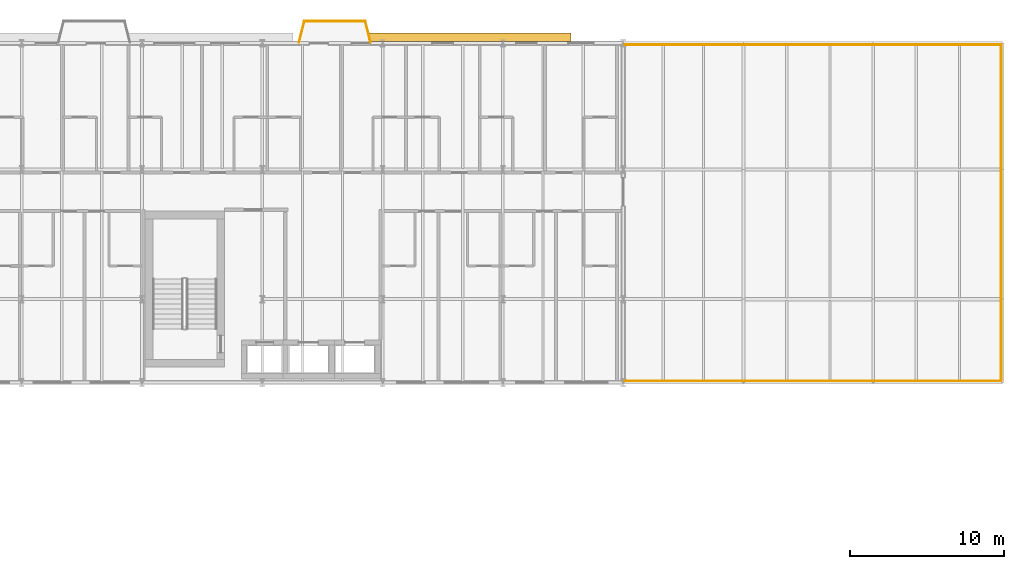
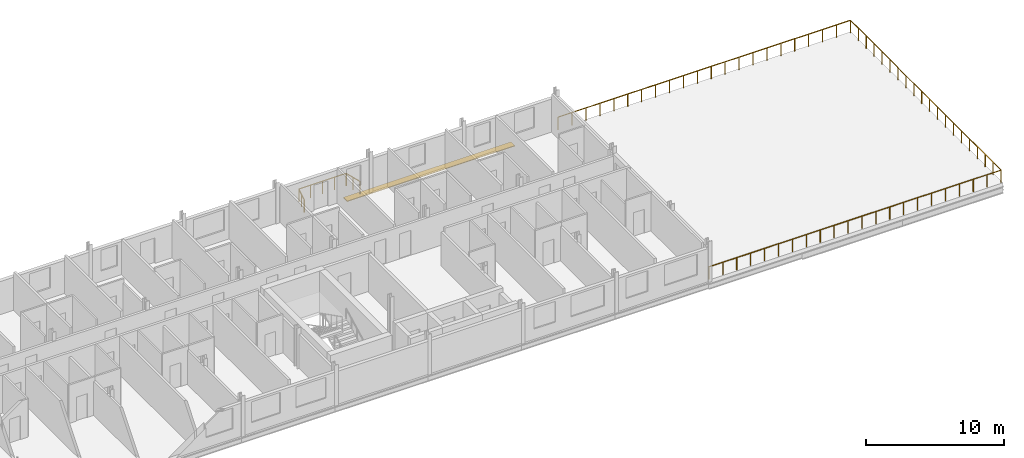
# One storey, part 30 of 30: 6 railings, 1 shading device.
"""IFC4 building model written with IfcOpenShell, lengths in metres."""

from ifc_helpers import new_model, si_unit, direction, frame, origin, origin_2d, place, context, subcontext, project, spatial, rectangle, circle, extrude, material, layer, layer_set, type_object, element, save


model = new_model("IFC4")

# Units and contexts
model_context = context("Model", 3, precision=1e-05, world=origin(), true_north=direction((0.0, 1.0)))
body_context = subcontext(model_context, "Body", "Model", "MODEL_VIEW")
ifc_project = project(units=[si_unit("LENGTHUNIT", "METRE"), si_unit("AREAUNIT", "SQUARE_METRE"), si_unit("VOLUMEUNIT", "CUBIC_METRE"), si_unit("PLANEANGLEUNIT", "RADIAN"), si_unit("MASSUNIT", "GRAM", prefix="KILO")], contexts=[model_context])

# Site, building, storey
site_placement = place(None, origin())
site = spatial("IfcSite", under=ifc_project, at=site_placement, CompositionType="ELEMENT")
building_placement = place(site_placement, origin())
building = spatial("IfcBuilding", under=site, at=building_placement, Name="Sefraquen Railside Congress Hotel", CompositionType="ELEMENT")
storey_placement = place(building_placement, frame((0.0, 0.0, 35.39990234375)))
storey = spatial("IfcBuildingStorey", under=building, at=storey_placement, Name="L08", CompositionType="ELEMENT", Elevation=35.39990234375)

# Railings
ifc_material_1 = material(Name="Patinated wrought architectural bronze", Category="metal")
railing_type = type_object("IfcRailingType", Name="TRL-BAL-110", PredefinedType="BALUSTRADE", material=ifc_material_1)
railing_1_placement = place(storey_placement, frame((95.5, 96.10009765625, 0.0)))
element("IfcRailing", 1, at=railing_1_placement, inside=storey, type_object=railing_type, Name="Hotel L08 Sunset Roof Terrace balustrade", PredefinedType="BALUSTRADE", context=body_context, shape_type="SweptSolid", body=[
    extrude(circle(Radius=0.02392578125, at=origin_2d()), frame((0.0, 0.0, 1.09619140625), z_axis=(1.0, 0.0, 0.0), x_axis=(0.0, 1.0, 0.0)), (0.0, 0.0, 1.0), 24.39990234375),
    extrude(circle(Radius=0.02099609375, at=origin_2d()), origin(), (0.0, 0.0, 1.0), 1.072021484375),
    extrude(circle(Radius=0.02099609375, at=origin_2d()), frame((1.161865234375, 0.0, 0.0)), (0.0, 0.0, 1.0), 1.072021484375),
    extrude(circle(Radius=0.02099609375, at=origin_2d()), frame((2.32373046875, 0.0, 0.0)), (0.0, 0.0, 1.0), 1.072021484375),
    extrude(circle(Radius=0.02099609375, at=origin_2d()), frame((3.485595703125, 0.0, 0.0)), (0.0, 0.0, 1.0), 1.072021484375),
    extrude(circle(Radius=0.02099609375, at=origin_2d()), frame((4.647705078125, 0.0, 0.0)), (0.0, 0.0, 1.0), 1.072021484375),
    extrude(circle(Radius=0.02099609375, at=origin_2d()), frame((5.8095703125, 0.0, 0.0)), (0.0, 0.0, 1.0), 1.072021484375),
    extrude(circle(Radius=0.02099609375, at=origin_2d()), frame((6.971435546875, 0.0, 0.0)), (0.0, 0.0, 1.0), 1.072021484375),
    extrude(circle(Radius=0.02099609375, at=origin_2d()), frame((8.13330078125, 0.0, 0.0)), (0.0, 0.0, 1.0), 1.072021484375),
    extrude(circle(Radius=0.02099609375, at=origin_2d()), frame((9.295166015625, 0.0, 0.0)), (0.0, 0.0, 1.0), 1.072021484375),
    extrude(circle(Radius=0.02099609375, at=origin_2d()), frame((10.45703125, 0.0, 0.0)), (0.0, 0.0, 1.0), 1.072021484375),
    extrude(circle(Radius=0.02099609375, at=origin_2d()), frame((11.618896484375, 0.0, 0.0)), (0.0, 0.0, 1.0), 1.072021484375),
    extrude(circle(Radius=0.02099609375, at=origin_2d()), frame((12.781005859375, 0.0, 0.0)), (0.0, 0.0, 1.0), 1.072021484375),
    extrude(circle(Radius=0.02099609375, at=origin_2d()), frame((13.94287109375, 0.0, 0.0)), (0.0, 0.0, 1.0), 1.072021484375),
    extrude(circle(Radius=0.02099609375, at=origin_2d()), frame((15.104736328125, 0.0, 0.0)), (0.0, 0.0, 1.0), 1.072021484375),
    extrude(circle(Radius=0.02099609375, at=origin_2d()), frame((16.2666015625, 0.0, 0.0)), (0.0, 0.0, 1.0), 1.072021484375),
    extrude(circle(Radius=0.02099609375, at=origin_2d()), frame((17.428466796875, 0.0, 0.0)), (0.0, 0.0, 1.0), 1.072021484375),
    extrude(circle(Radius=0.02099609375, at=origin_2d()), frame((18.59033203125, 0.0, 0.0)), (0.0, 0.0, 1.0), 1.072021484375),
    extrude(circle(Radius=0.02099609375, at=origin_2d()), frame((19.752197265625, 0.0, 0.0)), (0.0, 0.0, 1.0), 1.072021484375),
    extrude(circle(Radius=0.02099609375, at=origin_2d()), frame((20.914306640625, 0.0, 0.0)), (0.0, 0.0, 1.0), 1.072021484375),
    extrude(circle(Radius=0.02099609375, at=origin_2d()), frame((22.076171875, 0.0, 0.0)), (0.0, 0.0, 1.0), 1.072021484375),
    extrude(circle(Radius=0.02099609375, at=origin_2d()), frame((23.238037109375, 0.0, 0.0)), (0.0, 0.0, 1.0), 1.072021484375),
    extrude(circle(Radius=0.02099609375, at=origin_2d()), frame((24.39990234375, 0.0, 0.0)), (0.0, 0.0, 1.0), 1.072021484375),
])
railing_2_placement = place(storey_placement, frame((119.89990234375, 96.10009765625, 0.0)))
element("IfcRailing", 2, at=railing_2_placement, inside=storey, type_object=railing_type, Name="Hotel L08 Sunset Roof Terrace balustrade", PredefinedType="BALUSTRADE", context=body_context, shape_type="SweptSolid", body=[
    extrude(circle(Radius=0.02392578125, at=origin_2d()), frame((0.0, 0.0, 1.09619140625), z_axis=(0.0, 1.0, 0.0), x_axis=(-1.0, 0.0, 0.0)), (0.0, 0.0, 1.0), 21.7998046875),
    extrude(circle(Radius=0.02099609375, at=origin_2d()), origin(), (0.0, 0.0, 1.0), 1.072021484375),
    extrude(circle(Radius=0.02099609375, at=origin_2d()), frame((0.0, 1.1474609375, 0.0)), (0.0, 0.0, 1.0), 1.072021484375),
    extrude(circle(Radius=0.02099609375, at=origin_2d()), frame((0.0, 2.294677734375, 0.0)), (0.0, 0.0, 1.0), 1.072021484375),
    extrude(circle(Radius=0.02099609375, at=origin_2d()), frame((0.0, 3.442138671875, 0.0)), (0.0, 0.0, 1.0), 1.072021484375),
    extrude(circle(Radius=0.02099609375, at=origin_2d()), frame((0.0, 4.58935546875, 0.0)), (0.0, 0.0, 1.0), 1.072021484375),
    extrude(circle(Radius=0.02099609375, at=origin_2d()), frame((0.0, 5.73681640625, 0.0)), (0.0, 0.0, 1.0), 1.072021484375),
    extrude(circle(Radius=0.02099609375, at=origin_2d()), frame((0.0, 6.884033203125, 0.0)), (0.0, 0.0, 1.0), 1.072021484375),
    extrude(circle(Radius=0.02099609375, at=origin_2d()), frame((0.0, 8.031494140625, 0.0)), (0.0, 0.0, 1.0), 1.072021484375),
    extrude(circle(Radius=0.02099609375, at=origin_2d()), frame((0.0, 9.178955078125, 0.0)), (0.0, 0.0, 1.0), 1.072021484375),
    extrude(circle(Radius=0.02099609375, at=origin_2d()), frame((0.0, 10.326171875, 0.0)), (0.0, 0.0, 1.0), 1.072021484375),
    extrude(circle(Radius=0.02099609375, at=origin_2d()), frame((0.0, 11.4736328125, 0.0)), (0.0, 0.0, 1.0), 1.072021484375),
    extrude(circle(Radius=0.02099609375, at=origin_2d()), frame((0.0, 12.620849609375, 0.0)), (0.0, 0.0, 1.0), 1.072021484375),
    extrude(circle(Radius=0.02099609375, at=origin_2d()), frame((0.0, 13.768310546875, 0.0)), (0.0, 0.0, 1.0), 1.072021484375),
    extrude(circle(Radius=0.02099609375, at=origin_2d()), frame((0.0, 14.915771484375, 0.0)), (0.0, 0.0, 1.0), 1.072021484375),
    extrude(circle(Radius=0.02099609375, at=origin_2d()), frame((0.0, 16.06298828125, 0.0)), (0.0, 0.0, 1.0), 1.072021484375),
    extrude(circle(Radius=0.02099609375, at=origin_2d()), frame((0.0, 17.21044921875, 0.0)), (0.0, 0.0, 1.0), 1.072021484375),
    extrude(circle(Radius=0.02099609375, at=origin_2d()), frame((0.0, 18.357666015625, 0.0)), (0.0, 0.0, 1.0), 1.072021484375),
    extrude(circle(Radius=0.02099609375, at=origin_2d()), frame((0.0, 19.505126953125, 0.0)), (0.0, 0.0, 1.0), 1.072021484375),
    extrude(circle(Radius=0.02099609375, at=origin_2d()), frame((0.0, 20.65234375, 0.0)), (0.0, 0.0, 1.0), 1.072021484375),
    extrude(circle(Radius=0.02099609375, at=origin_2d()), frame((0.0, 21.7998046875, 0.0)), (0.0, 0.0, 1.0), 1.072021484375),
])
railing_3_placement = place(storey_placement, frame((119.89990234375, 117.89990234375, 0.0)))
element("IfcRailing", 3, at=railing_3_placement, inside=storey, type_object=railing_type, Name="Hotel L08 Sunset Roof Terrace balustrade", PredefinedType="BALUSTRADE", context=body_context, shape_type="SweptSolid", body=[
    extrude(circle(Radius=0.02392578125, at=origin_2d()), frame((0.0, 0.0, 1.09619140625), z_axis=(-1.0, 0.0, 0.0), x_axis=(0.0, -1.0, 0.0)), (0.0, 0.0, 1.0), 24.39990234375),
    extrude(circle(Radius=0.02099609375, at=origin_2d()), origin(), (0.0, 0.0, 1.0), 1.072021484375),
    extrude(circle(Radius=0.02099609375, at=origin_2d()), frame((-1.161865234375, 0.0, 0.0)), (0.0, 0.0, 1.0), 1.072021484375),
    extrude(circle(Radius=0.02099609375, at=origin_2d()), frame((-2.32373046875, 0.0, 0.0)), (0.0, 0.0, 1.0), 1.072021484375),
    extrude(circle(Radius=0.02099609375, at=origin_2d()), frame((-3.485595703125, 0.0, 0.0)), (0.0, 0.0, 1.0), 1.072021484375),
    extrude(circle(Radius=0.02099609375, at=origin_2d()), frame((-4.647705078125, 0.0, 0.0)), (0.0, 0.0, 1.0), 1.072021484375),
    extrude(circle(Radius=0.02099609375, at=origin_2d()), frame((-5.8095703125, 0.0, 0.0)), (0.0, 0.0, 1.0), 1.072021484375),
    extrude(circle(Radius=0.02099609375, at=origin_2d()), frame((-6.971435546875, 0.0, 0.0)), (0.0, 0.0, 1.0), 1.072021484375),
    extrude(circle(Radius=0.02099609375, at=origin_2d()), frame((-8.13330078125, 0.0, 0.0)), (0.0, 0.0, 1.0), 1.072021484375),
    extrude(circle(Radius=0.02099609375, at=origin_2d()), frame((-9.295166015625, 0.0, 0.0)), (0.0, 0.0, 1.0), 1.072021484375),
    extrude(circle(Radius=0.02099609375, at=origin_2d()), frame((-10.45703125, 0.0, 0.0)), (0.0, 0.0, 1.0), 1.072021484375),
    extrude(circle(Radius=0.02099609375, at=origin_2d()), frame((-11.618896484375, 0.0, 0.0)), (0.0, 0.0, 1.0), 1.072021484375),
    extrude(circle(Radius=0.02099609375, at=origin_2d()), frame((-12.781005859375, 0.0, 0.0)), (0.0, 0.0, 1.0), 1.072021484375),
    extrude(circle(Radius=0.02099609375, at=origin_2d()), frame((-13.94287109375, 0.0, 0.0)), (0.0, 0.0, 1.0), 1.072021484375),
    extrude(circle(Radius=0.02099609375, at=origin_2d()), frame((-15.104736328125, 0.0, 0.0)), (0.0, 0.0, 1.0), 1.072021484375),
    extrude(circle(Radius=0.02099609375, at=origin_2d()), frame((-16.2666015625, 0.0, 0.0)), (0.0, 0.0, 1.0), 1.072021484375),
    extrude(circle(Radius=0.02099609375, at=origin_2d()), frame((-17.428466796875, 0.0, 0.0)), (0.0, 0.0, 1.0), 1.072021484375),
    extrude(circle(Radius=0.02099609375, at=origin_2d()), frame((-18.59033203125, 0.0, 0.0)), (0.0, 0.0, 1.0), 1.072021484375),
    extrude(circle(Radius=0.02099609375, at=origin_2d()), frame((-19.752197265625, 0.0, 0.0)), (0.0, 0.0, 1.0), 1.072021484375),
    extrude(circle(Radius=0.02099609375, at=origin_2d()), frame((-20.914306640625, 0.0, 0.0)), (0.0, 0.0, 1.0), 1.072021484375),
    extrude(circle(Radius=0.02099609375, at=origin_2d()), frame((-22.076171875, 0.0, 0.0)), (0.0, 0.0, 1.0), 1.072021484375),
    extrude(circle(Radius=0.02099609375, at=origin_2d()), frame((-23.238037109375, 0.0, 0.0)), (0.0, 0.0, 1.0), 1.072021484375),
    extrude(circle(Radius=0.02099609375, at=origin_2d()), frame((-24.39990234375, 0.0, 0.0)), (0.0, 0.0, 1.0), 1.072021484375),
])
railing_4_placement = place(storey_placement, frame((74.3798828125, 118.050048828125, 0.0)))
element("IfcRailing", 4, at=railing_4_placement, inside=storey, type_object=railing_type, Name="Guest balcony Art Nouveau balustrade L08-04", PredefinedType="BALUSTRADE", context=body_context, shape_type="SweptSolid", body=[
    extrude(circle(Radius=0.02392578125, at=origin_2d()), frame((0.0, 0.0, 1.09619140625), z_axis=(0.240948040829, 0.970538016577, 0.0), x_axis=(-0.970538016577, 0.240948040829, 0.0)), (0.0, 0.0, 1.0), 1.411376953125),
    extrude(circle(Radius=0.02099609375, at=origin_2d()), origin(), (0.0, 0.0, 1.0), 1.072021484375),
    extrude(circle(Radius=0.02099609375, at=origin_2d()), frame((0.169921875, 0.68505859375, 0.0)), (0.0, 0.0, 1.0), 1.072021484375),
    extrude(circle(Radius=0.02099609375, at=origin_2d()), frame((0.340087890625, 1.369873046875, 0.0)), (0.0, 0.0, 1.0), 1.072021484375),
])
railing_5_placement = place(storey_placement, frame((74.719970703125, 119.419921875, 0.0)))
element("IfcRailing", 5, at=railing_5_placement, inside=storey, type_object=railing_type, Name="Guest balcony Art Nouveau balustrade L08-04", PredefinedType="BALUSTRADE", context=body_context, shape_type="SweptSolid", body=[
    extrude(circle(Radius=0.02392578125, at=origin_2d()), frame((0.0, 0.0, 1.09619140625), z_axis=(1.0, 0.0, 0.0), x_axis=(0.0, 1.0, 0.0)), (0.0, 0.0, 1.0), 3.9599609375),
    extrude(circle(Radius=0.02099609375, at=origin_2d()), origin(), (0.0, 0.0, 1.0), 1.072021484375),
    extrude(circle(Radius=0.02099609375, at=origin_2d()), frame((0.989990234375, 0.0, 0.0)), (0.0, 0.0, 1.0), 1.072021484375),
    extrude(circle(Radius=0.02099609375, at=origin_2d()), frame((1.97998046875, 0.0, 0.0)), (0.0, 0.0, 1.0), 1.072021484375),
    extrude(circle(Radius=0.02099609375, at=origin_2d()), frame((2.969970703125, 0.0, 0.0)), (0.0, 0.0, 1.0), 1.072021484375),
    extrude(circle(Radius=0.02099609375, at=origin_2d()), frame((3.9599609375, 0.0, 0.0)), (0.0, 0.0, 1.0), 1.072021484375),
])
railing_6_placement = place(storey_placement, frame((78.679931640625, 119.419921875, 0.0)))
element("IfcRailing", 6, at=railing_6_placement, inside=storey, type_object=railing_type, Name="Guest balcony Art Nouveau balustrade L08-04", PredefinedType="BALUSTRADE", context=body_context, shape_type="SweptSolid", body=[
    extrude(circle(Radius=0.02392578125, at=origin_2d()), frame((0.0, 0.0, 1.09619140625), z_axis=(0.240948040829, -0.970538016577, 0.0), x_axis=(0.970538016577, 0.240948040829, 0.0)), (0.0, 0.0, 1.0), 1.411376953125),
    extrude(circle(Radius=0.02099609375, at=origin_2d()), origin(), (0.0, 0.0, 1.0), 1.072021484375),
    extrude(circle(Radius=0.02099609375, at=origin_2d()), frame((0.169921875, -0.68505859375, 0.0)), (0.0, 0.0, 1.0), 1.072021484375),
    extrude(circle(Radius=0.02099609375, at=origin_2d()), frame((0.340087890625, -1.369873046875, 0.0)), (0.0, 0.0, 1.0), 1.072021484375),
])

# Shading device
ifc_material_2 = material(Name="Patinated architectural bronze", Category="metal")
ifc_layer = layer(ifc_material_2, 0.06005859375)
ifc_layer_set = layer_set([ifc_layer], Name="Patinated architectural bronze")
shading_device_type = type_object("IfcShadingDeviceType", Name="TSH-BS-01", PredefinedType="USERDEFINED", material=ifc_layer_set)
shading_device_placement = place(storey_placement, frame((85.0, 118.3798828125, -0.3798828125), z_axis=(0.0, 0.0, 1.0), x_axis=(1.0, 0.0, 0.0)))
element("IfcShadingDevice", 7, at=shading_device_placement, inside=storey, type_object=shading_device_type, Name="Hotel North Boulevard window sunshade L08-3", ObjectType="BRISE SOLEIL", PredefinedType="USERDEFINED", context=body_context, shape_type="SweptSolid", body=[
    extrude(rectangle(XDim=14.0, YDim=0.550048828125, at=origin_2d()), origin(), (0.0, 0.0, 1.0), 0.06005859375),
])

save(model, "model.ifc")
